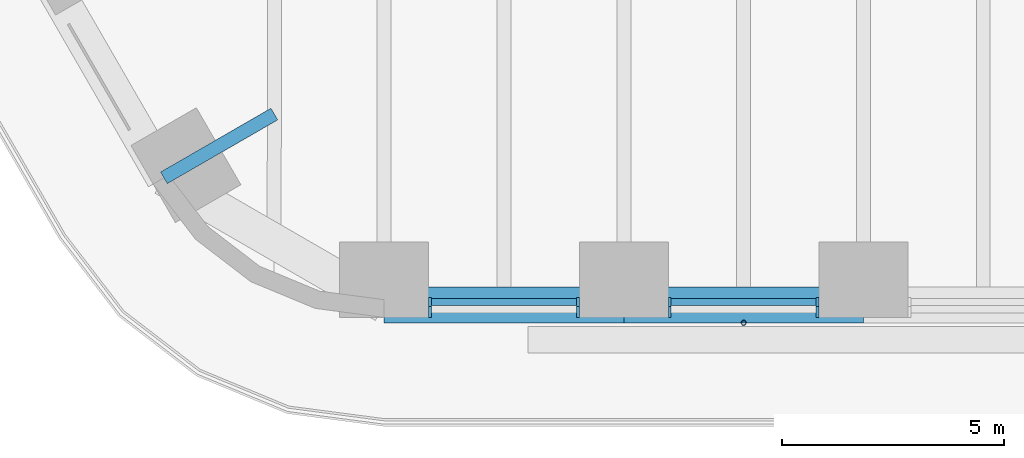
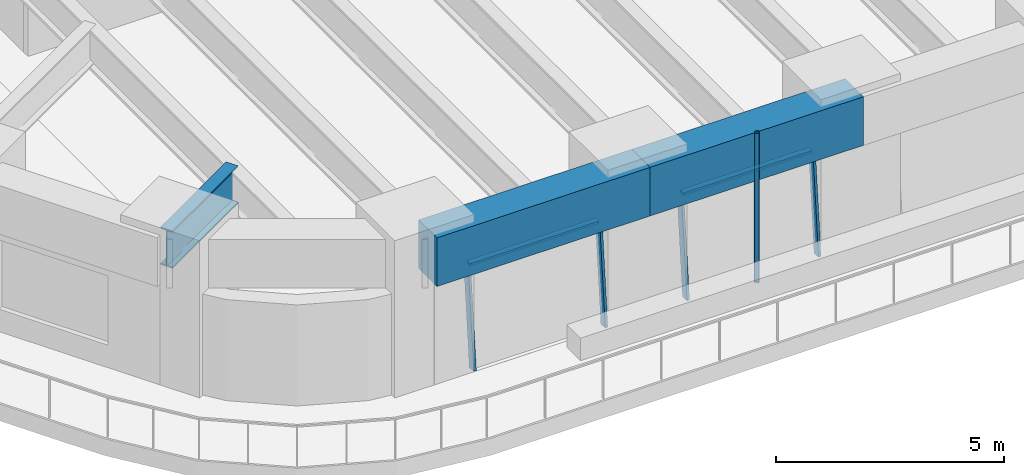
# One storey, part 2 of 24: 7 members, 3 beams, 2 elements without a shape of their own.
"""IFC4 building model written with IfcOpenShell, lengths in metres."""

from ifc_helpers import new_model, si_unit, direction, frame, origin, origin_2d, place, context, subcontext, project, spatial, rectangle, hollow_circle, i_section, extrude, material, material_profile, profile_set, type_object, element, aggregate, save


model = new_model("IFC4")

# Units and contexts
model_context = context("Model", 3, precision=1e-05, world=origin(), true_north=direction((0.0, 1.0)))
body_context = subcontext(model_context, "Body", "Model", "MODEL_VIEW")
ifc_project = project(units=[si_unit("LENGTHUNIT", "METRE"), si_unit("AREAUNIT", "SQUARE_METRE"), si_unit("VOLUMEUNIT", "CUBIC_METRE"), si_unit("PLANEANGLEUNIT", "RADIAN"), si_unit("MASSUNIT", "GRAM", prefix="KILO")], contexts=[model_context])

# Site, building, storey
site_placement = place(None, origin())
site = spatial("IfcSite", under=ifc_project, at=site_placement, CompositionType="ELEMENT")
building_placement = place(site_placement, origin())
building = spatial("IfcBuilding", under=site, at=building_placement, Name="Tarfa Lantern Tower", CompositionType="ELEMENT")
storey_placement = place(building_placement, frame((0.0, 0.0, 65.5)))
storey = spatial("IfcBuildingStorey", under=building, at=storey_placement, Name="L14", CompositionType="ELEMENT", Elevation=65.5)

# Curtain wall, members
ifc_material_1 = material(Name="Aluminium framed curtain wall", Category="aluminium")
curtain_wall_type = type_object("IfcCurtainWallType", Name="CW1 CANTED GLAZING LOW ZONE 2700", PredefinedType="USERDEFINED", material=ifc_material_1)
curtain_wall_1_placement = place(storey_placement, origin())
curtain_wall_1 = element("IfcCurtainWall", 1, at=curtain_wall_1_placement, inside=storey, type_object=curtain_wall_type, Name="CW1 S L14", ObjectType="CURTAIN WALL", PredefinedType="USERDEFINED")
ifc_material_2 = material(Name="Aluminium mullion", Category="aluminium")
ifc_material_profile_1 = material_profile(ifc_material_2, rectangle(XDim=0.06494140625, YDim=0.199951171875, at=origin_2d()), Name="AL MULLION 65x200")
ifc_profile_set_1 = profile_set([ifc_material_profile_1], Name="Aluminium mullion")
member_type_1 = type_object("IfcMemberType", Name="CWM1 MULLION 65x200", PredefinedType="MULLION", material=ifc_profile_set_1)
member_1_placement = place(storey_placement, frame((-15.13330078125, -33.89990234375, 0.0), z_axis=(0.0, 0.092199863775, 0.995740520979), x_axis=(-1.0, 0.0, 0.0)))
member_1 = element("IfcMember", 2, at=member_1_placement, type_object=member_type_1, Name="CW1 mullion 1", PredefinedType="MULLION", context=body_context, shape_type="SweptSolid", body=[
    extrude(rectangle(XDim=0.06494140625, YDim=0.199951171875, at=origin_2d()), origin(), (0.0, 0.0, 1.0), 2.71142578125),
])
member_2_placement = place(storey_placement, frame((-11.809814453125, -33.89990234375, 0.0), z_axis=(0.0, 0.092199863775, 0.995740520979), x_axis=(-1.0, 0.0, 0.0)))
member_2 = element("IfcMember", 3, at=member_2_placement, type_object=member_type_1, Name="CW1 mullion 2", PredefinedType="MULLION", context=body_context, shape_type="SweptSolid", body=[
    extrude(rectangle(XDim=0.06494140625, YDim=0.199951171875, at=origin_2d()), origin(), (0.0, 0.0, 1.0), 2.71142578125),
])

curtain_wall_2_placement = place(storey_placement, origin())
curtain_wall_2 = element("IfcCurtainWall", 4, at=curtain_wall_2_placement, inside=storey, type_object=curtain_wall_type, Name="CW1 S L14", ObjectType="CURTAIN WALL", PredefinedType="USERDEFINED")
member_3_placement = place(storey_placement, frame((-9.74462890625, -33.89990234375, 0.0), z_axis=(0.0, 0.092199863775, 0.995740520979), x_axis=(-1.0, 0.0, 0.0)))
member_3 = element("IfcMember", 5, at=member_3_placement, type_object=member_type_1, Name="CW1 mullion 1", PredefinedType="MULLION", context=body_context, shape_type="SweptSolid", body=[
    extrude(rectangle(XDim=0.06494140625, YDim=0.199951171875, at=origin_2d()), origin(), (0.0, 0.0, 1.0), 2.71142578125),
])
member_4_placement = place(storey_placement, frame((-6.421142578125, -33.89990234375, 0.0), z_axis=(0.0, 0.092199863775, 0.995740520979), x_axis=(-1.0, 0.0, 0.0)))
member_4 = element("IfcMember", 6, at=member_4_placement, type_object=member_type_1, Name="CW1 mullion 2", PredefinedType="MULLION", context=body_context, shape_type="SweptSolid", body=[
    extrude(rectangle(XDim=0.06494140625, YDim=0.199951171875, at=origin_2d()), origin(), (0.0, 0.0, 1.0), 2.71142578125),
])

# Member
ifc_material_3 = material(Name="Aluminium transom", Category="aluminium")
ifc_material_profile_2 = material_profile(ifc_material_3, rectangle(XDim=0.14990234375, YDim=0.06494140625, at=origin_2d()), Name="AL TRANSOM 150x65")
ifc_profile_set_2 = profile_set([ifc_material_profile_2], Name="Aluminium transom")
member_type_2 = type_object("IfcMemberType", Name="CWT1 TRANSOM 150x65", PredefinedType="USERDEFINED", material=ifc_profile_set_2)
member_5_placement = place(storey_placement, frame((-15.100830078125, -33.653076171875, 2.66748046875), z_axis=(1.0, 0.0, 0.0), x_axis=(0.0, 1.0, 0.0)))
member_5 = element("IfcMember", 7, at=member_5_placement, type_object=member_type_2, Name="CW1 transom 1.2", ObjectType="TRANSOM", PredefinedType="USERDEFINED", context=body_context, shape_type="SweptSolid", body=[
    extrude(rectangle(XDim=0.14990234375, YDim=0.06494140625, at=origin_2d()), origin(), (0.0, 0.0, 1.0), 3.258544921875),
])

aggregate(curtain_wall_1, [member_1, member_2, member_5])

member_6_placement = place(storey_placement, frame((-9.712158203125, -33.653076171875, 2.66748046875), z_axis=(1.0, 0.0, 0.0), x_axis=(0.0, 1.0, 0.0)))
member_6 = element("IfcMember", 8, at=member_6_placement, type_object=member_type_2, Name="CW1 transom 1.2", ObjectType="TRANSOM", PredefinedType="USERDEFINED", context=body_context, shape_type="SweptSolid", body=[
    extrude(rectangle(XDim=0.14990234375, YDim=0.06494140625, at=origin_2d()), origin(), (0.0, 0.0, 1.0), 3.258544921875),
])

aggregate(curtain_wall_2, [member_3, member_4, member_6])

# Beams
ifc_material_4 = material(Name="Concrete C80/95", Category="concrete")
ifc_material_profile_3 = material_profile(ifc_material_4, rectangle(XDim=0.800048828125, YDim=1.300048828125, at=origin_2d()), Name="RC 800x1300")
ifc_profile_set_3 = profile_set([ifc_material_profile_3], Name="Concrete C80/95")
beam_type_1 = type_object("IfcBeamType", Name="EB1 RC 800x1300", PredefinedType="SPANDREL", material=ifc_profile_set_3)
beam_1_placement = place(storey_placement, frame((-16.165771484375, -33.719970703125, 3.35009765625), z_axis=(1.0, 0.0, 0.0), x_axis=(0.0, 1.0, 0.0)))
element("IfcBeam", 9, at=beam_1_placement, inside=storey, type_object=beam_type_1, Name="Edge beam S0", PredefinedType="SPANDREL", context=body_context, shape_type="SweptSolid", body=[
    extrude(rectangle(XDim=0.800048828125, YDim=1.300048828125, at=origin_2d()), origin(), (0.0, 0.0, 1.0), 5.388671875),
])
beam_2_placement = place(storey_placement, frame((-10.777099609375, -33.719970703125, 3.35009765625), z_axis=(1.0, 0.0, 0.0), x_axis=(0.0, 1.0, 0.0)))
element("IfcBeam", 10, at=beam_2_placement, inside=storey, type_object=beam_type_1, Name="Edge beam S1", PredefinedType="SPANDREL", context=body_context, shape_type="SweptSolid", body=[
    extrude(rectangle(XDim=0.800048828125, YDim=1.300048828125, at=origin_2d()), origin(), (0.0, 0.0, 1.0), 5.388427734375),
])

# Member
ifc_material_5 = material(Name="Steel S355", Category="steel")
ifc_material_profile_4 = material_profile(ifc_material_5, hollow_circle(Radius=0.05712890625, WallThickness=0.00634765625, at=origin_2d()), Name="CHS114.3x6.3")
ifc_profile_set_4 = profile_set([ifc_material_profile_4], Name="Steel S355")
member_type_3 = type_object("IfcMemberType", Name="TR1 GREEN WALL TRELLIS CHS114.3x6.3", PredefinedType="USERDEFINED", material=ifc_profile_set_4)
member_7_placement = place(storey_placement, frame((-8.0830078125, -34.1201171875, 0.0), z_axis=(0.0, 0.0, 1.0), x_axis=(1.0, 0.0, 0.0)))
element("IfcMember", 11, at=member_7_placement, inside=storey, type_object=member_type_3, Name="Trellis post S 1", ObjectType="TRELLIS", PredefinedType="USERDEFINED", context=body_context, shape_type="SweptSolid", body=[
    extrude(hollow_circle(Radius=0.05712890625, WallThickness=0.00634765625, at=origin_2d()), origin(), (0.0, 0.0, 1.0), 4.0),
])

# Beam
ifc_material_6 = material(Name="Steel S460M", Category="steel")
ifc_material_profile_5 = material_profile(ifc_material_6, i_section(OverallWidth=0.302001953125, OverallDepth=1.008056640625, WebThickness=0.02099609375, FlangeThickness=0.0400390625, FilletRadius=0.030029296875, at=origin_2d()), Name="UB1016x305x349")
ifc_profile_set_5 = profile_set([ifc_material_profile_5], Name="Steel S460M")
beam_type_2 = type_object("IfcBeamType", Name="UB1016x305x349", PredefinedType="BEAM", material=ifc_profile_set_5)
beam_3_placement = place(storey_placement, frame((-21.119384765625, -30.860107421875, 3.495849609375), z_axis=(0.866012580594, 0.500022209759, 0.0), x_axis=(-0.500022209759, 0.866012580594, 0.0)))
element("IfcBeam", 12, at=beam_3_placement, inside=storey, type_object=beam_type_2, Name="Floor beam SW6", PredefinedType="BEAM", context=body_context, shape_type="SweptSolid", body=[
    extrude(i_section(OverallWidth=0.302001953125, OverallDepth=1.008056640625, WebThickness=0.02099609375, FlangeThickness=0.0400390625, FilletRadius=0.030029296875, at=origin_2d()), origin(), (0.0, 0.0, 1.0), 2.866943359375),
])

save(model, "model.ifc")
